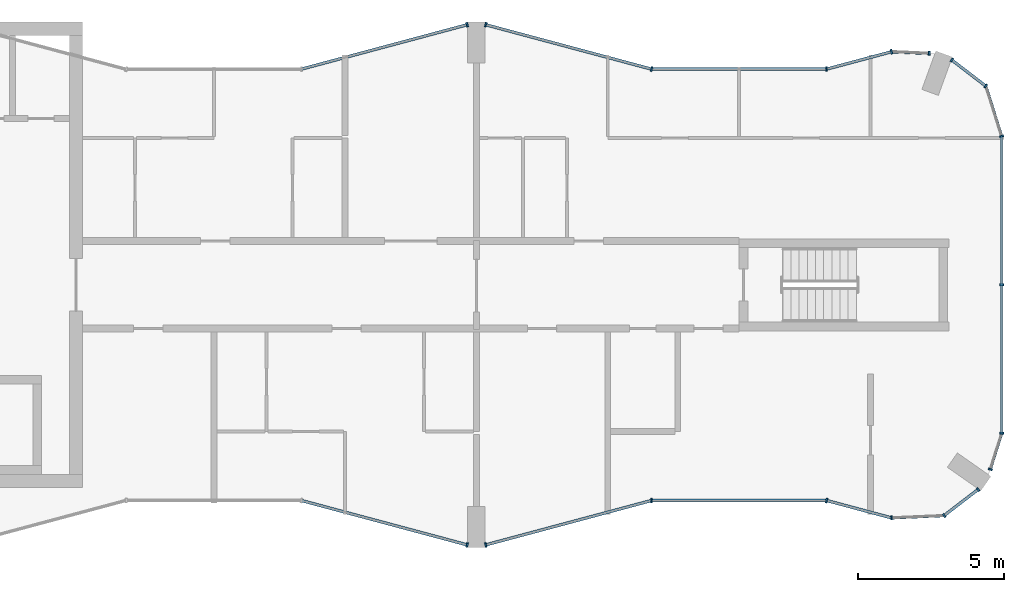
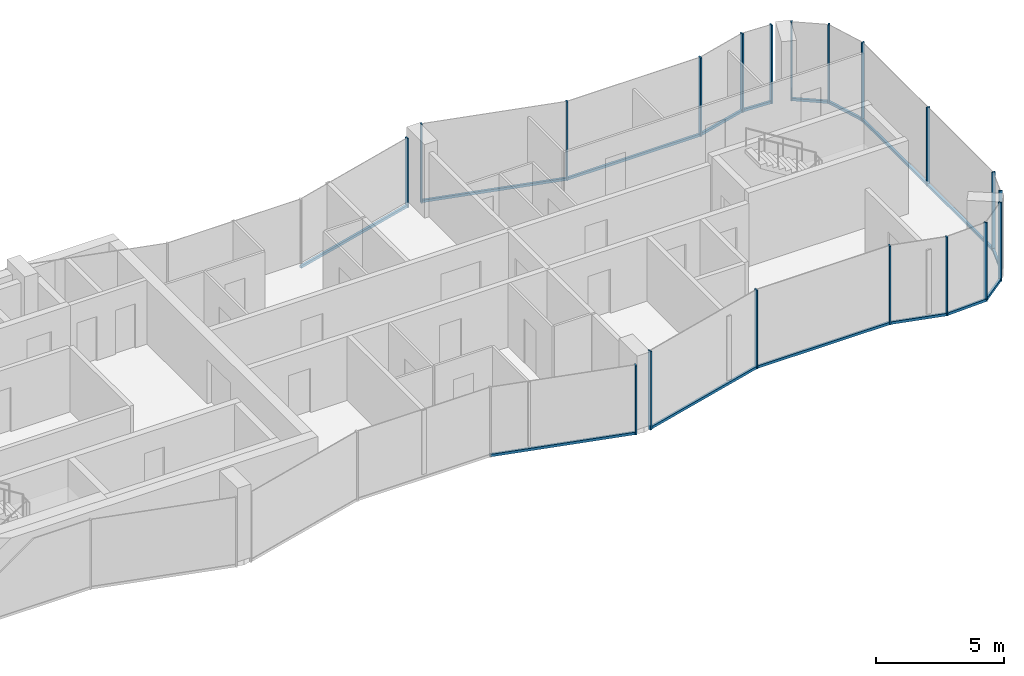
# One storey, part 5 of 10: 34 members, 15 elements without a shape of their own.
"""IFC4 building model written with IfcOpenShell, lengths in metres."""

from ifc_helpers import new_model, si_unit, direction, frame, origin, origin_2d, place, context, subcontext, project, spatial, rectangle, extrude, material, layer, layer_set, material_profile, profile_set, type_object, element, aggregate, save


model = new_model("IFC4")

# Units and contexts
model_context = context("Model", 3, precision=1e-05, world=origin(), true_north=direction((0.0, 1.0)))
body_context = subcontext(model_context, "Body", "Model", "MODEL_VIEW")
ifc_project = project(units=[si_unit("LENGTHUNIT", "METRE"), si_unit("AREAUNIT", "SQUARE_METRE"), si_unit("VOLUMEUNIT", "CUBIC_METRE"), si_unit("PLANEANGLEUNIT", "RADIAN"), si_unit("MASSUNIT", "GRAM", prefix="KILO")], contexts=[model_context])

# Site, building, storey
site_placement = place(None, origin())
site = spatial("IfcSite", under=ifc_project, at=site_placement, CompositionType="ELEMENT")
building_placement = place(site_placement, origin())
building = spatial("IfcBuilding", under=site, at=building_placement, Name="Plateau Cross Towers", CompositionType="ELEMENT")
storey_placement = place(building_placement, frame((0.0, 0.0, 284.39990234375)))
storey = spatial("IfcBuildingStorey", under=building, at=storey_placement, Name="L75", CompositionType="ELEMENT", Elevation=284.39990234375)

# Curtain wall, member
ifc_material_1 = material(Name="Dark low-iron glass", Category="glass")
ifc_layer_1 = layer(ifc_material_1, 0.239990234375)
ifc_layer_set_1 = layer_set([ifc_layer_1], Name="Dark low-iron glass")
curtain_wall_type_1 = type_object("IfcCurtainWallType", Name="Curtain wall flush unitised CW-B", PredefinedType="NOTDEFINED", material=ifc_layer_set_1)
curtain_wall_1_placement = place(storey_placement, origin())
curtain_wall_1 = element("IfcCurtainWall", 1, at=curtain_wall_1_placement, inside=storey, type_object=curtain_wall_type_1, Name="ENV/A/L75/A502_10", PredefinedType="NOTDEFINED")
ifc_material_2 = material(Name="Black anodised aluminium", Category="aluminium")
ifc_material_profile_1 = material_profile(ifc_material_2, rectangle(XDim=0.06005859375, YDim=0.139892578125, at=origin_2d()), Name="MULLION 60x140")
ifc_profile_set_1 = profile_set([ifc_material_profile_1], Name="Black anodised aluminium")
member_type_1 = type_object("IfcMemberType", Name="Mullion 60x140 flush unitised", PredefinedType="MULLION", material=ifc_profile_set_1)
member_1_placement = place(storey_placement, frame((50.223876953125, 1.01123046875, -0.25), z_axis=(0.0, 0.0, 1.0), x_axis=(0.999043701491, 0.043722791671, 0.0)))
member_1 = element("IfcMember", 2, at=member_1_placement, type_object=member_type_1, Name="CW-B mullion 1", PredefinedType="MULLION", context=body_context, shape_type="SweptSolid", body=[
    extrude(rectangle(XDim=0.06005859375, YDim=0.139892578125, at=origin_2d()), origin(), (0.0, 0.0, 1.0), 3.75),
])

# Curtain wall, members
curtain_wall_2_placement = place(storey_placement, origin())
curtain_wall_2 = element("IfcCurtainWall", 3, at=curtain_wall_2_placement, inside=storey, type_object=curtain_wall_type_1, Name="ENV/A/L75/A520_11", PredefinedType="NOTDEFINED")
member_2_placement = place(storey_placement, frame((52.0263671875, 1.090087890625, -0.25), z_axis=(0.0, 0.0, 1.0), x_axis=(0.793315514529, 0.608810721331, 0.0)))
member_2 = element("IfcMember", 4, at=member_2_placement, type_object=member_type_1, Name="CW-B mullion 1", PredefinedType="MULLION", context=body_context, shape_type="SweptSolid", body=[
    extrude(rectangle(XDim=0.06005859375, YDim=0.139892578125, at=origin_2d()), origin(), (0.0, 0.0, 1.0), 3.75),
])
member_3_placement = place(storey_placement, frame((53.193603515625, 1.986083984375, -0.25), z_axis=(0.0, 0.0, 1.0), x_axis=(0.793315514529, 0.608810721331, 0.0)))
member_3 = element("IfcMember", 5, at=member_3_placement, type_object=member_type_1, Name="CW-B mullion 2", PredefinedType="MULLION", context=body_context, shape_type="SweptSolid", body=[
    extrude(rectangle(XDim=0.06005859375, YDim=0.139892578125, at=origin_2d()), origin(), (0.0, 0.0, 1.0), 3.75),
])

# Curtain wall, member
curtain_wall_3_placement = place(storey_placement, origin())
curtain_wall_3 = element("IfcCurtainWall", 6, at=curtain_wall_3_placement, inside=storey, type_object=curtain_wall_type_1, Name="ENV/A/L75/A536_27", PredefinedType="NOTDEFINED")
member_4_placement = place(storey_placement, frame((53.611083984375, 2.67529296875, -0.25), z_axis=(0.0, 0.0, 1.0), x_axis=(0.300686174994, 0.95372313811, 0.0)))
member_4 = element("IfcMember", 7, at=member_4_placement, type_object=member_type_1, Name="CW-B mullion 1", PredefinedType="MULLION", context=body_context, shape_type="SweptSolid", body=[
    extrude(rectangle(XDim=0.06005859375, YDim=0.139892578125, at=origin_2d()), origin(), (0.0, 0.0, 1.0), 3.75),
])

# Curtain wall, members
curtain_wall_4_placement = place(storey_placement, origin())
curtain_wall_4 = element("IfcCurtainWall", 8, at=curtain_wall_4_placement, inside=storey, type_object=curtain_wall_type_1, Name="ENV/A/L75/A540_39", PredefinedType="NOTDEFINED")
member_5_placement = place(storey_placement, frame((54.0, 3.9091796875, -0.25), z_axis=(0.0, 0.0, 1.0), x_axis=(0.0, 1.0, 0.0)))
member_5 = element("IfcMember", 9, at=member_5_placement, type_object=member_type_1, Name="CW-B mullion 1", PredefinedType="MULLION", context=body_context, shape_type="SweptSolid", body=[
    extrude(rectangle(XDim=0.06005859375, YDim=0.139892578125, at=origin_2d()), origin(), (0.0, 0.0, 1.0), 3.75),
])
member_6_placement = place(storey_placement, frame((54.0, 9.0, -0.25), z_axis=(0.0, 0.0, 1.0), x_axis=(0.0, 1.0, 0.0)))
member_6 = element("IfcMember", 10, at=member_6_placement, type_object=member_type_1, Name="CW-B mullion 2", PredefinedType="MULLION", context=body_context, shape_type="SweptSolid", body=[
    extrude(rectangle(XDim=0.06005859375, YDim=0.139892578125, at=origin_2d()), origin(), (0.0, 0.0, 1.0), 3.75),
])

# Curtain wall, member
curtain_wall_5_placement = place(storey_placement, origin())
curtain_wall_5 = element("IfcCurtainWall", 11, at=curtain_wall_5_placement, inside=storey, type_object=curtain_wall_type_1, Name="ENV/A/L75/A540_141", PredefinedType="NOTDEFINED")
member_7_placement = place(storey_placement, frame((54.0, 14.0908203125, -0.25), z_axis=(0.0, 0.0, 1.0), x_axis=(-0.300686174994, 0.95372313811, 0.0)))
member_7 = element("IfcMember", 12, at=member_7_placement, type_object=member_type_1, Name="CW-B mullion 1", PredefinedType="MULLION", context=body_context, shape_type="SweptSolid", body=[
    extrude(rectangle(XDim=0.06005859375, YDim=0.139892578125, at=origin_2d()), origin(), (0.0, 0.0, 1.0), 3.75),
])

# Curtain wall, members
curtain_wall_6_placement = place(storey_placement, origin())
curtain_wall_6 = element("IfcCurtainWall", 13, at=curtain_wall_6_placement, inside=storey, type_object=curtain_wall_type_1, Name="ENV/A/L75/A535_158", PredefinedType="NOTDEFINED")
member_8_placement = place(storey_placement, frame((53.45751953125, 15.8115234375, -0.25), z_axis=(0.0, 0.0, 1.0), x_axis=(-0.793315514529, 0.608810721331, 0.0)))
member_8 = element("IfcMember", 14, at=member_8_placement, type_object=member_type_1, Name="CW-B mullion 1", PredefinedType="MULLION", context=body_context, shape_type="SweptSolid", body=[
    extrude(rectangle(XDim=0.06005859375, YDim=0.139892578125, at=origin_2d()), origin(), (0.0, 0.0, 1.0), 3.75),
])
member_9_placement = place(storey_placement, frame((52.290283203125, 16.707275390625, -0.25), z_axis=(0.0, 0.0, 1.0), x_axis=(-0.793315514529, 0.608810721331, 0.0)))
member_9 = element("IfcMember", 15, at=member_9_placement, type_object=member_type_1, Name="CW-B mullion 2", PredefinedType="MULLION", context=body_context, shape_type="SweptSolid", body=[
    extrude(rectangle(XDim=0.06005859375, YDim=0.139892578125, at=origin_2d()), origin(), (0.0, 0.0, 1.0), 3.75),
])

# Curtain wall, member
curtain_wall_7_placement = place(storey_placement, origin())
curtain_wall_7 = element("IfcCurtainWall", 16, at=curtain_wall_7_placement, inside=storey, type_object=curtain_wall_type_1, Name="ENV/A/L75/A515_169", PredefinedType="NOTDEFINED")
member_10_placement = place(storey_placement, frame((51.516357421875, 16.93212890625, -0.25), z_axis=(0.0, 0.0, 1.0), x_axis=(-0.999043701491, 0.043722791671, 0.0)))
member_10 = element("IfcMember", 17, at=member_10_placement, type_object=member_type_1, Name="CW-B mullion 1", PredefinedType="MULLION", context=body_context, shape_type="SweptSolid", body=[
    extrude(rectangle(XDim=0.06005859375, YDim=0.139892578125, at=origin_2d()), origin(), (0.0, 0.0, 1.0), 3.75),
])

ifc_layer_2 = layer(ifc_material_1, 0.260009765625)
ifc_layer_set_2 = layer_set([ifc_layer_2], Name="Dark low-iron glass")
curtain_wall_type_2 = type_object("IfcCurtainWallType", Name="Curtain wall fluted unitised CW-A", PredefinedType="NOTDEFINED", material=ifc_layer_set_2)
curtain_wall_8_placement = place(storey_placement, origin())
curtain_wall_8 = element("IfcCurtainWall", 18, at=curtain_wall_8_placement, inside=storey, type_object=curtain_wall_type_2, Name="ENV/A/L75/A300_16", PredefinedType="NOTDEFINED")
ifc_material_profile_2 = material_profile(ifc_material_2, rectangle(XDim=0.06005859375, YDim=0.159912109375, at=origin_2d()), Name="MULLION 60x160")
ifc_profile_set_2 = profile_set([ifc_material_profile_2], Name="Black anodised aluminium")
member_type_2 = type_object("IfcMemberType", Name="Mullion 60x160 fluted unitised", PredefinedType="MULLION", material=ifc_profile_set_2)
member_11_placement = place(storey_placement, frame((35.68212890625, 0.085205078125, -0.25), z_axis=(0.0, 0.0, 1.0), x_axis=(0.965957983404, -0.258699003279, 0.0)))
member_11 = element("IfcMember", 19, at=member_11_placement, type_object=member_type_2, Name="CW-A mullion 2", PredefinedType="MULLION", context=body_context, shape_type="SweptSolid", body=[
    extrude(rectangle(XDim=0.06005859375, YDim=0.159912109375, at=origin_2d()), origin(), (0.0, 0.0, 1.0), 3.300048828125),
])

curtain_wall_9_placement = place(storey_placement, origin())
curtain_wall_9 = element("IfcCurtainWall", 20, at=curtain_wall_9_placement, inside=storey, type_object=curtain_wall_type_2, Name="ENV/A/L75/A363_1", PredefinedType="NOTDEFINED")
member_12_placement = place(storey_placement, frame((36.31787109375, 0.085205078125, -0.25), z_axis=(0.0, 0.0, 1.0), x_axis=(0.965957983404, 0.258699003279, 0.0)))
member_12 = element("IfcMember", 21, at=member_12_placement, type_object=member_type_2, Name="CW-A mullion 1", PredefinedType="MULLION", context=body_context, shape_type="SweptSolid", body=[
    extrude(rectangle(XDim=0.06005859375, YDim=0.159912109375, at=origin_2d()), origin(), (0.0, 0.0, 1.0), 3.75),
])

curtain_wall_10_placement = place(storey_placement, origin())
curtain_wall_10 = element("IfcCurtainWall", 22, at=curtain_wall_10_placement, inside=storey, type_object=curtain_wall_type_2, Name="ENV/A/L75/A420_16", PredefinedType="NOTDEFINED")
member_13_placement = place(storey_placement, frame((42.0, 1.60693359375, -0.25), z_axis=(0.0, 0.0, 1.0), x_axis=(1.0, 0.0, 0.0)))
member_13 = element("IfcMember", 23, at=member_13_placement, type_object=member_type_2, Name="CW-A mullion 1", PredefinedType="MULLION", context=body_context, shape_type="SweptSolid", body=[
    extrude(rectangle(XDim=0.06005859375, YDim=0.159912109375, at=origin_2d()), origin(), (0.0, 0.0, 1.0), 3.75),
])

curtain_wall_11_placement = place(storey_placement, origin())
curtain_wall_11 = element("IfcCurtainWall", 24, at=curtain_wall_11_placement, inside=storey, type_object=curtain_wall_type_2, Name="ENV/A/L75/A480_16", PredefinedType="NOTDEFINED")
member_14_placement = place(storey_placement, frame((48.0, 1.60693359375, -0.25), z_axis=(0.0, 0.0, 1.0), x_axis=(0.965957962328, -0.258699081978, 0.0)))
member_14 = element("IfcMember", 25, at=member_14_placement, type_object=member_type_2, Name="CW-A mullion 1", PredefinedType="MULLION", context=body_context, shape_type="SweptSolid", body=[
    extrude(rectangle(XDim=0.06005859375, YDim=0.159912109375, at=origin_2d()), origin(), (0.0, 0.0, 1.0), 3.75),
])

curtain_wall_12_placement = place(storey_placement, origin())
curtain_wall_12 = element("IfcCurtainWall", 26, at=curtain_wall_12_placement, inside=storey, type_object=curtain_wall_type_2, Name="ENV/A/L75/A502_170", PredefinedType="NOTDEFINED")
member_15_placement = place(storey_placement, frame((50.223876953125, 16.98876953125, -0.25), z_axis=(0.0, 0.0, 1.0), x_axis=(-0.965957962328, -0.258699081978, 0.0)))
member_15 = element("IfcMember", 27, at=member_15_placement, type_object=member_type_2, Name="CW-A mullion 1", PredefinedType="MULLION", context=body_context, shape_type="SweptSolid", body=[
    extrude(rectangle(XDim=0.06005859375, YDim=0.159912109375, at=origin_2d()), origin(), (0.0, 0.0, 1.0), 3.75),
])

curtain_wall_13_placement = place(storey_placement, origin())
curtain_wall_13 = element("IfcCurtainWall", 28, at=curtain_wall_13_placement, inside=storey, type_object=curtain_wall_type_2, Name="ENV/A/L75/A480_164", PredefinedType="NOTDEFINED")
member_16_placement = place(storey_placement, frame((48.0, 16.39306640625, -0.25), z_axis=(0.0, 0.0, 1.0), x_axis=(-1.0, 0.0, 0.0)))
member_16 = element("IfcMember", 29, at=member_16_placement, type_object=member_type_2, Name="CW-A mullion 1", PredefinedType="MULLION", context=body_context, shape_type="SweptSolid", body=[
    extrude(rectangle(XDim=0.06005859375, YDim=0.159912109375, at=origin_2d()), origin(), (0.0, 0.0, 1.0), 3.75),
])

# Curtain wall, members
curtain_wall_14_placement = place(storey_placement, origin())
curtain_wall_14 = element("IfcCurtainWall", 30, at=curtain_wall_14_placement, inside=storey, type_object=curtain_wall_type_2, Name="ENV/A/L75/A420_164", PredefinedType="NOTDEFINED")
member_17_placement = place(storey_placement, frame((42.0, 16.39306640625, -0.25), z_axis=(0.0, 0.0, 1.0), x_axis=(-0.965957983404, 0.258699003279, 0.0)))
member_17 = element("IfcMember", 31, at=member_17_placement, type_object=member_type_2, Name="CW-A mullion 1", PredefinedType="MULLION", context=body_context, shape_type="SweptSolid", body=[
    extrude(rectangle(XDim=0.06005859375, YDim=0.159912109375, at=origin_2d()), origin(), (0.0, 0.0, 1.0), 3.75),
])
member_18_placement = place(storey_placement, frame((36.31787109375, 17.914794921875, -0.25), z_axis=(0.0, 0.0, 1.0), x_axis=(-0.965957983404, 0.258699003279, 0.0)))
member_18 = element("IfcMember", 32, at=member_18_placement, type_object=member_type_2, Name="CW-A mullion 2", PredefinedType="MULLION", context=body_context, shape_type="SweptSolid", body=[
    extrude(rectangle(XDim=0.06005859375, YDim=0.159912109375, at=origin_2d()), origin(), (0.0, 0.0, 1.0), 3.75),
])

# Curtain wall, member
curtain_wall_15_placement = place(storey_placement, origin())
curtain_wall_15 = element("IfcCurtainWall", 33, at=curtain_wall_15_placement, inside=storey, type_object=curtain_wall_type_2, Name="ENV/A/L75/A357_179", PredefinedType="NOTDEFINED")
member_19_placement = place(storey_placement, frame((35.68212890625, 17.914794921875, -0.25), z_axis=(0.0, 0.0, 1.0), x_axis=(-0.965957983404, -0.258699003279, 0.0)))
member_19 = element("IfcMember", 34, at=member_19_placement, type_object=member_type_2, Name="CW-A mullion 1", PredefinedType="MULLION", context=body_context, shape_type="SweptSolid", body=[
    extrude(rectangle(XDim=0.06005859375, YDim=0.159912109375, at=origin_2d()), origin(), (0.0, 0.0, 1.0), 3.300048828125),
])

# Member
ifc_material_profile_3 = material_profile(ifc_material_2, rectangle(XDim=0.10009765625, YDim=0.1201171875, at=origin_2d()), Name="TRANSOM 100x120")
ifc_profile_set_3 = profile_set([ifc_material_profile_3], Name="Black anodised aluminium")
member_type_3 = type_object("IfcMemberType", Name="Transom 100x120 flush unitised", PredefinedType="USERDEFINED", material=ifc_profile_set_3)
member_20_placement = place(storey_placement, frame((50.223876953125, 1.01123046875, -0.18994140625), z_axis=(0.999044377355, 0.043707345779, 0.0), x_axis=(-0.043707345779, 0.999044377355, 0.0)))
member_20 = element("IfcMember", 35, at=member_20_placement, type_object=member_type_3, Name="CW-B transom", ObjectType="TRANSOM", PredefinedType="USERDEFINED", context=body_context, shape_type="SweptSolid", body=[
    extrude(rectangle(XDim=0.10009765625, YDim=0.1201171875, at=origin_2d()), origin(), (0.0, 0.0, 1.0), 1.80419921875),
])

aggregate(curtain_wall_1, [member_1, member_20])

member_21_placement = place(storey_placement, frame((52.0263671875, 1.090087890625, -0.18994140625), z_axis=(0.793240368515, 0.608908628415, 0.0), x_axis=(-0.608908628415, 0.793240368515, 0.0)))
member_21 = element("IfcMember", 36, at=member_21_placement, type_object=member_type_3, Name="CW-B transom", ObjectType="TRANSOM", PredefinedType="USERDEFINED", context=body_context, shape_type="SweptSolid", body=[
    extrude(rectangle(XDim=0.10009765625, YDim=0.1201171875, at=origin_2d()), origin(), (0.0, 0.0, 1.0), 1.471435546875),
])

aggregate(curtain_wall_2, [member_2, member_3, member_21])

member_22_placement = place(storey_placement, frame((53.611083984375, 2.67529296875, -0.18994140625), z_axis=(0.300616528216, 0.953745093284, 0.0), x_axis=(-0.953745093284, 0.300616528216, 0.0)))
member_22 = element("IfcMember", 37, at=member_22_placement, type_object=member_type_3, Name="CW-B transom", ObjectType="TRANSOM", PredefinedType="USERDEFINED", context=body_context, shape_type="SweptSolid", body=[
    extrude(rectangle(XDim=0.10009765625, YDim=0.1201171875, at=origin_2d()), origin(), (0.0, 0.0, 1.0), 1.293701171875),
])

aggregate(curtain_wall_3, [member_4, member_22])

member_23_placement = place(storey_placement, frame((54.0, 3.9091796875, -0.18994140625), z_axis=(0.0, 1.0, 0.0), x_axis=(-1.0, 0.0, 0.0)))
member_23 = element("IfcMember", 38, at=member_23_placement, type_object=member_type_3, Name="CW-B transom", ObjectType="TRANSOM", PredefinedType="USERDEFINED", context=body_context, shape_type="SweptSolid", body=[
    extrude(rectangle(XDim=0.10009765625, YDim=0.1201171875, at=origin_2d()), origin(), (0.0, 0.0, 1.0), 10.181640625),
])

aggregate(curtain_wall_4, [member_5, member_6, member_23])

member_24_placement = place(storey_placement, frame((54.0, 14.0908203125, -0.18994140625), z_axis=(-0.30067799945, 0.953725715626, 0.0), x_axis=(-0.953725715626, -0.30067799945, 0.0)))
member_24 = element("IfcMember", 39, at=member_24_placement, type_object=member_type_3, Name="CW-B transom", ObjectType="TRANSOM", PredefinedType="USERDEFINED", context=body_context, shape_type="SweptSolid", body=[
    extrude(rectangle(XDim=0.10009765625, YDim=0.1201171875, at=origin_2d()), origin(), (0.0, 0.0, 1.0), 1.80419921875),
])

aggregate(curtain_wall_5, [member_7, member_24])

member_25_placement = place(storey_placement, frame((53.45751953125, 15.8115234375, -0.18994140625), z_axis=(-0.793320508571, 0.608804213751, 0.0), x_axis=(-0.608804213751, -0.793320508571, 0.0)))
member_25 = element("IfcMember", 40, at=member_25_placement, type_object=member_type_3, Name="CW-B transom", ObjectType="TRANSOM", PredefinedType="USERDEFINED", context=body_context, shape_type="SweptSolid", body=[
    extrude(rectangle(XDim=0.10009765625, YDim=0.1201171875, at=origin_2d()), origin(), (0.0, 0.0, 1.0), 1.471435546875),
])

aggregate(curtain_wall_6, [member_8, member_9, member_25])

member_26_placement = place(storey_placement, frame((51.516357421875, 16.93212890625, -0.18994140625), z_axis=(-0.999041144614, 0.043781175963, 0.0), x_axis=(-0.043781175963, -0.999041144614, 0.0)))
member_26 = element("IfcMember", 41, at=member_26_placement, type_object=member_type_3, Name="CW-B transom", ObjectType="TRANSOM", PredefinedType="USERDEFINED", context=body_context, shape_type="SweptSolid", body=[
    extrude(rectangle(XDim=0.10009765625, YDim=0.1201171875, at=origin_2d()), origin(), (0.0, 0.0, 1.0), 1.293701171875),
])

aggregate(curtain_wall_7, [member_10, member_26])

ifc_material_profile_4 = material_profile(ifc_material_2, rectangle(XDim=0.10009765625, YDim=0.1201171875, at=origin_2d()), Name="TRANSOM 100x120")
ifc_profile_set_4 = profile_set([ifc_material_profile_4], Name="Black anodised aluminium")
member_type_4 = type_object("IfcMemberType", Name="Transom 100x120 fluted unitised", PredefinedType="USERDEFINED", material=ifc_profile_set_4)
member_27_placement = place(storey_placement, frame((30.0, 1.60693359375, -0.18994140625), z_axis=(0.965959534794, -0.258693210465, 0.0), x_axis=(0.258693210465, 0.965959534794, 0.0)))
member_27 = element("IfcMember", 42, at=member_27_placement, type_object=member_type_4, Name="CW-A transom", ObjectType="TRANSOM", PredefinedType="USERDEFINED", context=body_context, shape_type="SweptSolid", body=[
    extrude(rectangle(XDim=0.10009765625, YDim=0.1201171875, at=origin_2d()), origin(), (0.0, 0.0, 1.0), 5.88232421875),
])

aggregate(curtain_wall_8, [member_11, member_27])

member_28_placement = place(storey_placement, frame((36.31787109375, 0.085205078125, -0.18994140625), z_axis=(0.965959534794, 0.258693210465, 0.0), x_axis=(-0.258693210465, 0.965959534794, 0.0)))
member_28 = element("IfcMember", 43, at=member_28_placement, type_object=member_type_4, Name="CW-A transom", ObjectType="TRANSOM", PredefinedType="USERDEFINED", context=body_context, shape_type="SweptSolid", body=[
    extrude(rectangle(XDim=0.10009765625, YDim=0.1201171875, at=origin_2d()), origin(), (0.0, 0.0, 1.0), 5.88232421875),
])

aggregate(curtain_wall_9, [member_12, member_28])

member_29_placement = place(storey_placement, frame((42.0, 1.60693359375, -0.18994140625), z_axis=(1.0, 0.0, 0.0), x_axis=(0.0, 1.0, 0.0)))
member_29 = element("IfcMember", 44, at=member_29_placement, type_object=member_type_4, Name="CW-A transom", ObjectType="TRANSOM", PredefinedType="USERDEFINED", context=body_context, shape_type="SweptSolid", body=[
    extrude(rectangle(XDim=0.10009765625, YDim=0.1201171875, at=origin_2d()), origin(), (0.0, 0.0, 1.0), 6.0),
])

aggregate(curtain_wall_10, [member_13, member_29])

member_30_placement = place(storey_placement, frame((48.0, 1.60693359375, -0.18994140625), z_axis=(0.965945685136, -0.258744919501, 0.0), x_axis=(0.258744919501, 0.965945685136, 0.0)))
member_30 = element("IfcMember", 45, at=member_30_placement, type_object=member_type_4, Name="CW-A transom", ObjectType="TRANSOM", PredefinedType="USERDEFINED", context=body_context, shape_type="SweptSolid", body=[
    extrude(rectangle(XDim=0.10009765625, YDim=0.1201171875, at=origin_2d()), origin(), (0.0, 0.0, 1.0), 2.30224609375),
])

aggregate(curtain_wall_11, [member_14, member_30])

member_31_placement = place(storey_placement, frame((50.223876953125, 16.98876953125, -0.18994140625), z_axis=(-0.965945685136, -0.258744919501, 0.0), x_axis=(0.258744919501, -0.965945685136, 0.0)))
member_31 = element("IfcMember", 46, at=member_31_placement, type_object=member_type_4, Name="CW-A transom", ObjectType="TRANSOM", PredefinedType="USERDEFINED", context=body_context, shape_type="SweptSolid", body=[
    extrude(rectangle(XDim=0.10009765625, YDim=0.1201171875, at=origin_2d()), origin(), (0.0, 0.0, 1.0), 2.30224609375),
])

aggregate(curtain_wall_12, [member_15, member_31])

member_32_placement = place(storey_placement, frame((48.0, 16.39306640625, -0.18994140625), z_axis=(-1.0, 0.0, 0.0), x_axis=(0.0, -1.0, 0.0)))
member_32 = element("IfcMember", 47, at=member_32_placement, type_object=member_type_4, Name="CW-A transom", ObjectType="TRANSOM", PredefinedType="USERDEFINED", context=body_context, shape_type="SweptSolid", body=[
    extrude(rectangle(XDim=0.10009765625, YDim=0.1201171875, at=origin_2d()), origin(), (0.0, 0.0, 1.0), 6.0),
])

aggregate(curtain_wall_13, [member_16, member_32])

member_33_placement = place(storey_placement, frame((42.0, 16.39306640625, -0.18994140625), z_axis=(-0.965959534794, 0.258693210465, 0.0), x_axis=(-0.258693210465, -0.965959534794, 0.0)))
member_33 = element("IfcMember", 48, at=member_33_placement, type_object=member_type_4, Name="CW-A transom", ObjectType="TRANSOM", PredefinedType="USERDEFINED", context=body_context, shape_type="SweptSolid", body=[
    extrude(rectangle(XDim=0.10009765625, YDim=0.1201171875, at=origin_2d()), origin(), (0.0, 0.0, 1.0), 5.88232421875),
])

aggregate(curtain_wall_14, [member_17, member_18, member_33])

member_34_placement = place(storey_placement, frame((35.68212890625, 17.914794921875, -0.18994140625), z_axis=(-0.965959534794, -0.258693210465, 0.0), x_axis=(0.258693210465, -0.965959534794, 0.0)))
member_34 = element("IfcMember", 49, at=member_34_placement, type_object=member_type_4, Name="CW-A transom", ObjectType="TRANSOM", PredefinedType="USERDEFINED", context=body_context, shape_type="SweptSolid", body=[
    extrude(rectangle(XDim=0.10009765625, YDim=0.1201171875, at=origin_2d()), origin(), (0.0, 0.0, 1.0), 5.88232421875),
])

aggregate(curtain_wall_15, [member_19, member_34])

save(model, "model.ifc")
